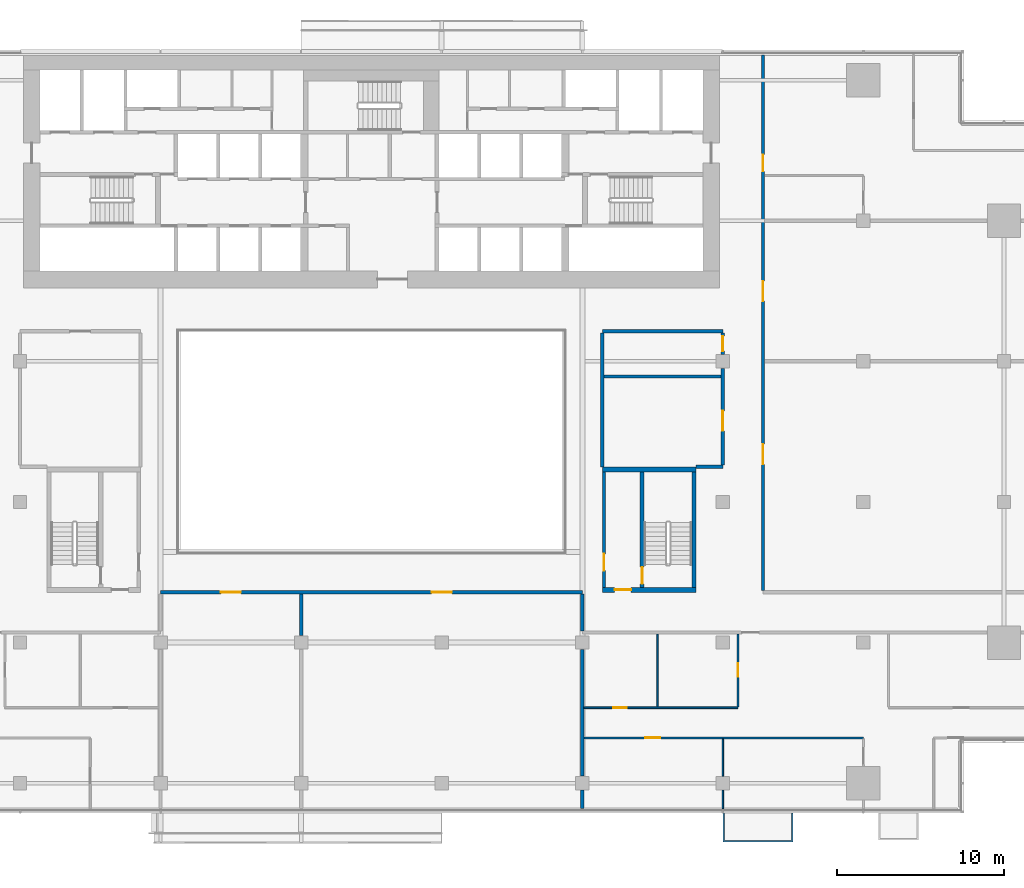
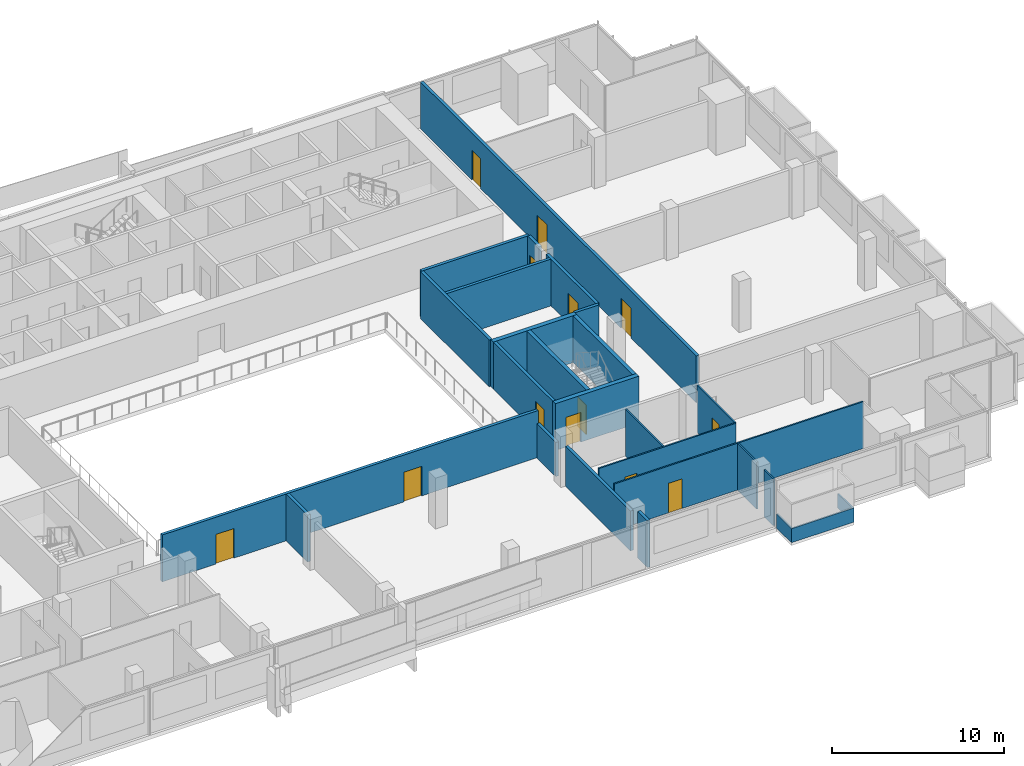
# One storey, part 19 of 26: 24 walls, 13 doors, 13 openings.
"""IFC4 building model written with IfcOpenShell, lengths in metres."""

import ifcopenshell
import ifcopenshell.guid

model = None  # the IFC model being written
_history = None  # IfcOwnerHistory: only IFC2X3 demands one
_inside = {}  # id of a spatial element -> (the spatial element, [elements in it])
_under = {}  # id of a project, library or spatial element -> (it, [spatial elements below it])
_declared = {}  # id of a project -> (the project, [libraries it declares])
_typed = {}  # id of a type object -> (the type object, [elements of that type])
_made_of = {}  # id of a material, layer set ... -> (it, [elements and type objects made of it])


def new_model(schema):
    """Start an empty IFC model of exactly this schema.

    Asked for "IFC4X3", IfcOpenShell would pick the latest addendum, in which some entities
    have other attributes; the version numbers below select the first issue.
    IFC2X3 requires an IfcOwnerHistory on every rooted entity: one is made here for all.
    """
    global model, _history
    if schema == "IFC4X3":
        model = ifcopenshell.file(schema_version=(4, 3, 0, 0))
    else:
        model = ifcopenshell.file(schema=schema)
    _inside.clear()
    _under.clear()
    _declared.clear()
    _typed.clear()
    _made_of.clear()
    _history = None
    if model.schema == "IFC2X3":
        org = make("IfcOrganization", Name="unknown")
        user = make(
            "IfcPersonAndOrganization",
            ThePerson=make("IfcPerson", FamilyName="unknown"),
            TheOrganization=org,
        )
        app = make(
            "IfcApplication",
            ApplicationDeveloper=org,
            Version="unknown",
            ApplicationFullName="unknown",
            ApplicationIdentifier="unknown",
        )
        _history = make(
            "IfcOwnerHistory",
            OwningUser=user,
            OwningApplication=app,
            ChangeAction="ADDED",
            CreationDate=0,
        )
    return model


def make(cls, **values):
    """One entity of the class cls with the attributes given. An attribute that is None is left unset."""
    return model.create_entity(
        cls, **{name: value for name, value in values.items() if value is not None}
    )


def rooted(cls, **values):
    """An entity with a GlobalId (a new one), such as an element, a storey or a relation."""
    return make(cls, GlobalId=ifcopenshell.guid.new(), OwnerHistory=_history, **values)


def si_unit(unit_type, name, prefix=None):
    """IfcSIUnit, for example si_unit("LENGTHUNIT", "METRE", prefix="MILLI")."""
    return make("IfcSIUnit", UnitType=unit_type, Prefix=prefix, Name=name)


def assignment(units):
    """IfcUnitAssignment: the units of a project."""
    return None if units is None else make("IfcUnitAssignment", Units=units)


def point(xyz):
    """IfcCartesianPoint."""
    return None if xyz is None else make("IfcCartesianPoint", Coordinates=xyz)


def direction(xyz):
    """IfcDirection."""
    return None if xyz is None else make("IfcDirection", DirectionRatios=xyz)


def frame(location, z_axis=None, x_axis=None):
    """IfcAxis2Placement3D, a coordinate frame: its origin and axes. An axis left out is left unset."""
    return make(
        "IfcAxis2Placement3D",
        Location=point(location),
        Axis=direction(z_axis),
        RefDirection=direction(x_axis),
    )


def frame_2d(location, x_axis=None):
    """IfcAxis2Placement2D, a coordinate frame in the plane: its origin and x axis."""
    return make(
        "IfcAxis2Placement2D", Location=point(location), RefDirection=direction(x_axis)
    )


def origin():
    """The frame at (0, 0, 0) with its axes left unset."""
    return frame((0.0, 0.0, 0.0))


def place(relative_to, where):
    """IfcLocalPlacement: puts the frame where relative to a parent placement (None: the world)."""
    return make(
        "IfcLocalPlacement", PlacementRelTo=relative_to, RelativePlacement=where
    )


def context(
    kind, dimensions, precision=None, world=None, true_north=None, identifier=None
):
    """IfcGeometricRepresentationContext, for example the 3D "Model" context."""
    return make(
        "IfcGeometricRepresentationContext",
        ContextIdentifier=identifier,
        ContextType=kind,
        CoordinateSpaceDimension=dimensions,
        Precision=precision,
        WorldCoordinateSystem=world,
        TrueNorth=true_north,
    )


def subcontext(parent, identifier, kind, view, scale=None):
    """IfcGeometricRepresentationSubContext, for example "Body" below "Model"."""
    return make(
        "IfcGeometricRepresentationSubContext",
        ContextIdentifier=identifier,
        ContextType=kind,
        ParentContext=parent,
        TargetScale=scale,
        TargetView=view,
    )


def project(units=None, contexts=None):
    """IfcProject with its units and contexts."""
    return rooted(
        "IfcProject",
        Name="project",
        RepresentationContexts=contexts,
        UnitsInContext=assignment(units),
    )


def spatial(cls, under=None, at=None, **own):
    """A site, building, storey or space (cls), placed at a placement, below another one or the project."""
    s = rooted(cls, ObjectPlacement=at, **own)
    if under is not None:
        _under.setdefault(under.id(), (under, []))[1].append(s)
    return s


def polyline(points):
    """IfcPolyline through the points."""
    return make("IfcPolyline", Points=[point(p) for p in points])


def profile(cls, at=None, kind="AREA", **sizes):
    """A parametric profile (cls). Its sizes go by their IFC names, for example OverallWidth=200.0."""
    return make(cls, ProfileType=kind, Position=at, **sizes)


def rectangle(**sizes):
    """IfcRectangleProfileDef."""
    return profile("IfcRectangleProfileDef", **sizes)


def outline(outer, holes=None, kind="AREA"):
    """IfcArbitraryClosedProfileDef: a profile drawn as a closed curve; with holes, ...WithVoids."""
    if holes is None:
        return make("IfcArbitraryClosedProfileDef", ProfileType=kind, OuterCurve=outer)
    return make(
        "IfcArbitraryProfileDefWithVoids",
        ProfileType=kind,
        OuterCurve=outer,
        InnerCurves=holes,
    )


def extrude(swept, where, along, depth):
    """IfcExtrudedAreaSolid: the profile swept, set in the frame where, extruded along a direction by depth."""
    return make(
        "IfcExtrudedAreaSolid",
        SweptArea=swept,
        Position=where,
        ExtrudedDirection=direction(along),
        Depth=depth,
    )


def shape(context_of_items, identifier, shape_type, items):
    """IfcShapeRepresentation: the items that make up one representation, for example the "Body"."""
    return make(
        "IfcShapeRepresentation",
        ContextOfItems=context_of_items,
        RepresentationIdentifier=identifier,
        RepresentationType=shape_type,
        Items=items,
    )


def material(Name=None, Category=None):
    """IfcMaterial."""
    return make("IfcMaterial", Name=Name, Category=Category)


def layer(
    of_material, thickness, ventilated=None, Name=None, Category=None, Priority=None
):
    """IfcMaterialLayer: one layer of a wall or slab, of a material (None: an air gap)."""
    return make(
        "IfcMaterialLayer",
        Material=of_material,
        LayerThickness=thickness,
        IsVentilated=ventilated,
        Name=Name,
        Category=Category,
        Priority=Priority,
    )


def layer_set(layers, Name=None):
    """IfcMaterialLayerSet."""
    return make("IfcMaterialLayerSet", MaterialLayers=layers, LayerSetName=Name)


def made_of(thing, what):
    """Note that an element or type object is made of a material, layer set ...; save() writes the relation."""
    if what is not None:
        _made_of.setdefault(what.id(), (what, []))[1].append(thing)
    return thing


def type_object(cls, material=None, **own):
    """A type object (cls), such as IfcWallType, which elements share."""
    return made_of(rooted(cls, **own), material)


def element(
    cls,
    number,
    at=None,
    inside=None,
    cuts=None,
    type_object=None,
    material=None,
    context=None,
    identifier="Body",
    shape_type=None,
    held_by="IfcProductDefinitionShape",
    body=None,
    shapes=None,
    **own,
):
    """One element of the class cls, such as IfcWall. Its Tag is "e" and its number.

    at: its placement. inside: the storey or other place that contains it. cuts: it is an
    opening in that element (IfcRelVoidsElement). A single representation is given by context,
    identifier, shape_type and body (its items); several are given by shapes. held_by: the class
    of the entity that holds the representations. save() writes the other relations.
    """
    e = rooted(cls, Tag="e%d" % number, ObjectPlacement=at, **own)
    if body is not None:
        shapes = [shape(context, identifier, shape_type, body)]
    if shapes is not None:
        e.Representation = make(held_by, Representations=shapes)
    if inside is not None:
        _inside.setdefault(inside.id(), (inside, []))[1].append(e)
    if cuts is not None:
        rooted(
            "IfcRelVoidsElement", RelatingBuildingElement=cuts, RelatedOpeningElement=e
        )
    if type_object is not None:
        _typed.setdefault(type_object.id(), (type_object, []))[1].append(e)
    return made_of(e, material)


def fill(opening, filler):
    """IfcRelFillsElement: the door or window that sits in an opening."""
    return rooted(
        "IfcRelFillsElement",
        RelatingOpeningElement=opening,
        RelatedBuildingElement=filler,
    )


def aggregate(whole, parts):
    """IfcRelAggregates: a whole, such as a stair, and the parts it consists of."""
    return rooted("IfcRelAggregates", RelatingObject=whole, RelatedObjects=parts)


def save(model, path):
    """Write the relations noted so far, then the file.

    IfcRelAggregates (storeys below a building ...), IfcRelContainedInSpatialStructure (elements
    in a storey), IfcRelDefinesByType, IfcRelAssociatesMaterial and IfcRelDeclares: one each for
    every whole, place, type object, material and project.
    """
    for whole, parts in _under.values():
        aggregate(whole, parts)
    for where, things in _inside.values():
        rooted(
            "IfcRelContainedInSpatialStructure",
            RelatedElements=things,
            RelatingStructure=where,
        )
    for kind, things in _typed.values():
        rooted("IfcRelDefinesByType", RelatedObjects=things, RelatingType=kind)
    for what, things in _made_of.values():
        rooted("IfcRelAssociatesMaterial", RelatedObjects=things, RelatingMaterial=what)
    for by, libraries in _declared.values():
        rooted("IfcRelDeclares", RelatingContext=by, RelatedDefinitions=libraries)
    model.write(path)


model = new_model("IFC4")

# Units and contexts
model_context = context("Model", 3, precision=1e-05, world=origin(), true_north=direction((0.0, 1.0)))
body_context = subcontext(model_context, "Body", "Model", "MODEL_VIEW")
ifc_project = project(units=[si_unit("LENGTHUNIT", "METRE"), si_unit("AREAUNIT", "SQUARE_METRE"), si_unit("VOLUMEUNIT", "CUBIC_METRE"), si_unit("PLANEANGLEUNIT", "RADIAN"), si_unit("MASSUNIT", "GRAM", prefix="KILO")], contexts=[model_context])

# Site, building, storey
site_placement = place(None, origin())
site = spatial("IfcSite", under=ifc_project, at=site_placement, CompositionType="ELEMENT")
building_placement = place(site_placement, origin())
building = spatial("IfcBuilding", under=site, at=building_placement, Name="Saffron Gate Tower", CompositionType="ELEMENT")
storey_placement = place(building_placement, frame((0.0, 0.0, 98.85009765625)))
storey = spatial("IfcBuildingStorey", under=building, at=storey_placement, Name="L22", CompositionType="ELEMENT", Elevation=98.85009765625)

# Wall, opening, door
ifc_material_1 = material(Name="Gypsum board partition on steel studs", Category="steel")
ifc_layer_1 = layer(ifc_material_1, 0.199951171875)
ifc_layer_set_1 = layer_set([ifc_layer_1], Name="CW10 Core partition 200")
wall_type_1 = type_object("IfcWallType", Name="CW10 Core partition 200", PredefinedType="PARTITIONING", material=ifc_layer_set_1)
wall_1_placement = place(storey_placement, frame((101.5, 43.5, 0.0), z_axis=(0.0, 0.0, 1.0), x_axis=(0.0, 1.0, 0.0)))
wall_1 = element("IfcWall", 1, at=wall_1_placement, inside=storey, type_object=wall_type_1, Name="Wall CW10-L22-E-2", PredefinedType="PARTITIONING", context=body_context, shape_type="SweptSolid", body=[
    extrude(rectangle(XDim=6.89990234375, YDim=0.199951171875, at=frame_2d((3.449951171875, 0.0))), origin(), (0.0, 0.0, 1.0), 3.31982421875),
])
opening_1_placement = place(wall_1_placement, frame((1.0, 0.0, 0.0)))
opening_1 = element("IfcOpeningElement", 2, at=opening_1_placement, cuts=wall_1, Name="Opening CR-22", PredefinedType="OPENING", context=body_context, shape_type="SweptSolid", body=[
    extrude(rectangle(XDim=1.0, YDim=2.10009765625, at=frame_2d((0.5, 1.050048828125))), frame((0.0, 0.10986328125, 0.0), z_axis=(0.0, -1.0, 0.0), x_axis=(1.0, 0.0, 0.0)), (0.0, 0.0, 1.0), 0.219970703125),
])
ifc_material_2 = material(Name="Steel fire door set", Category="steel")
door_type_1 = type_object("IfcDoorType", Name="CD4 Lobby door 1000x2100 EI 120", OperationType="NOTDEFINED", PredefinedType="DOOR", material=ifc_material_2)
door_1_placement = place(opening_1_placement, origin())
door_1 = element("IfcDoor", 3, at=door_1_placement, inside=storey, type_object=door_type_1, Name="DOOR CR-22", OperationType="SINGLE_SWING_LEFT", OverallHeight=2.10009765625, OverallWidth=1.0, PredefinedType="DOOR", context=body_context, shape_type="SweptSolid", body=[
    extrude(rectangle(XDim=1.0, YDim=2.10009765625, at=frame_2d((0.5, 1.050048828125))), frame((0.0, 0.02490234375, 0.0), z_axis=(0.0, -1.0, 0.0), x_axis=(1.0, 0.0, 0.0)), (0.0, 0.0, 1.0), 0.050048828125),
])
fill(opening_1, door_1)

ifc_material_3 = material(Name="Concrete C70", Category="concrete")
ifc_layer_2 = layer(ifc_material_3, 0.25)
ifc_layer_set_2 = layer_set([ifc_layer_2], Name="CW2 RC core wall 250 C70")
wall_type_2 = type_object("IfcWallType", Name="CW2 RC core wall 250 C70", PredefinedType="SOLIDWALL", material=ifc_layer_set_2)
wall_2_placement = place(storey_placement, frame((103.77490234375, 43.5, 0.0), z_axis=(0.0, 0.0, 1.0), x_axis=(0.0, 1.0, 0.0)))
wall_2 = element("IfcWall", 4, at=wall_2_placement, inside=storey, type_object=wall_type_2, Name="Wall CW2-L22-E-3", PredefinedType="SOLIDWALL", context=body_context, shape_type="SweptSolid", body=[
    extrude(rectangle(XDim=6.89990234375, YDim=0.25, at=frame_2d((3.449951171875, 0.0))), origin(), (0.0, 0.0, 1.0), 3.31982421875),
])
opening_2_placement = place(wall_2_placement, frame((0.199951171875, 0.0, 0.0)))
opening_2 = element("IfcOpeningElement", 5, at=opening_2_placement, cuts=wall_2, Name="Opening CR-23", PredefinedType="OPENING", context=body_context, shape_type="SweptSolid", body=[
    extrude(rectangle(XDim=1.0, YDim=2.10009765625, at=frame_2d((0.5, 1.050048828125))), frame((0.0, 0.135009765625, 0.0), z_axis=(0.0, -1.0, 0.0), x_axis=(1.0, 0.0, 0.0)), (0.0, 0.0, 1.0), 0.27001953125),
])
door_type_2 = type_object("IfcDoorType", Name="CD5 Stair door 1000x2100 EI 120", OperationType="NOTDEFINED", PredefinedType="DOOR", material=ifc_material_2)
door_2_placement = place(opening_2_placement, origin())
door_2 = element("IfcDoor", 6, at=door_2_placement, inside=storey, type_object=door_type_2, Name="DOOR CR-23", OperationType="SINGLE_SWING_RIGHT", OverallHeight=2.10009765625, OverallWidth=1.0, PredefinedType="DOOR", context=body_context, shape_type="SweptSolid", body=[
    extrude(rectangle(XDim=1.0, YDim=2.10009765625, at=frame_2d((0.5, 1.050048828125))), frame((0.0, 0.02490234375, 0.0), z_axis=(0.0, -1.0, 0.0), x_axis=(1.0, 0.0, 0.0)), (0.0, 0.0, 1.0), 0.050048828125),
])
fill(opening_2, door_2)

# Wall
wall_3_placement = place(storey_placement, frame((106.875, 43.5, 0.0), z_axis=(0.0, 0.0, 1.0), x_axis=(0.0, 1.0, 0.0)))
element("IfcWall", 7, at=wall_3_placement, inside=storey, type_object=wall_type_2, Name="Wall CW2-L22-E-4", PredefinedType="SOLIDWALL", context=body_context, shape_type="SweptSolid", body=[
    extrude(rectangle(XDim=6.89990234375, YDim=0.25, at=frame_2d((3.449951171875, 0.0))), origin(), (0.0, 0.0, 1.0), 3.31982421875),
])

# Wall, opening, door
ifc_layer_3 = layer(ifc_material_3, 0.300048828125)
ifc_layer_set_3 = layer_set([ifc_layer_3], Name="CW5 RC core wall 300 C70")
wall_type_3 = type_object("IfcWallType", Name="CW5 RC core wall 300 C70", PredefinedType="SOLIDWALL", material=ifc_layer_set_3)
wall_4_placement = place(storey_placement, frame((101.39990234375, 43.35009765625, 0.0), z_axis=(0.0, 0.0, 1.0), x_axis=(1.0, 0.0, 0.0)))
wall_4 = element("IfcWall", 8, at=wall_4_placement, inside=storey, type_object=wall_type_3, Name="Wall CW5-L22-E-1", PredefinedType="SOLIDWALL", context=body_context, shape_type="SweptSolid", body=[
    extrude(rectangle(XDim=5.60009765625, YDim=0.300048828125, at=frame_2d((2.800048828125, 0.0))), origin(), (0.0, 0.0, 1.0), 3.31982421875),
])
opening_3_placement = place(wall_4_placement, frame((0.72509765625, 0.0, 0.0)))
opening_3 = element("IfcOpeningElement", 9, at=opening_3_placement, cuts=wall_4, Name="Opening CR-21", PredefinedType="OPENING", context=body_context, shape_type="SweptSolid", body=[
    extrude(rectangle(XDim=1.0, YDim=2.10009765625, at=frame_2d((0.5, 1.050048828125))), frame((0.0, 0.16015625, 0.0), z_axis=(0.0, -1.0, 0.0), x_axis=(1.0, 0.0, 0.0)), (0.0, 0.0, 1.0), 0.320068359375),
])
door_3_placement = place(opening_3_placement, origin())
door_3 = element("IfcDoor", 10, at=door_3_placement, inside=storey, type_object=door_type_1, Name="DOOR CR-21", OperationType="SINGLE_SWING_RIGHT", OverallHeight=2.10009765625, OverallWidth=1.0, PredefinedType="DOOR", context=body_context, shape_type="SweptSolid", body=[
    extrude(rectangle(XDim=1.0, YDim=2.10009765625, at=frame_2d((0.5, 1.050048828125))), frame((0.0, 0.02490234375, 0.0), z_axis=(0.0, -1.0, 0.0), x_axis=(1.0, 0.0, 0.0)), (0.0, 0.0, 1.0), 0.050048828125),
])
fill(opening_3, door_3)

# Wall
wall_5_placement = place(storey_placement, frame((101.39990234375, 50.550048828125, 0.0), z_axis=(0.0, 0.0, 1.0), x_axis=(1.0, 0.0, 0.0)))
element("IfcWall", 11, at=wall_5_placement, inside=storey, type_object=wall_type_3, Name="Wall CW5-L22-E-5", PredefinedType="SOLIDWALL", context=body_context, shape_type="SweptSolid", body=[
    extrude(rectangle(XDim=5.60009765625, YDim=0.300048828125, at=frame_2d((2.800048828125, 0.0))), origin(), (0.0, 0.0, 1.0), 3.31982421875),
])

# Wall, opening, door
ifc_material_4 = material(Name="Plasterboard on steel studs", Category="steel")
ifc_layer_4 = layer(ifc_material_4, 0.10009765625)
ifc_layer_set_4 = layer_set([ifc_layer_4], Name="PW1 Partition 100")
wall_type_4 = type_object("IfcWallType", Name="PW1 Partition 100", PredefinedType="PARTITIONING", material=ifc_layer_set_4)
wall_6_placement = place(storey_placement, frame((117.0, 34.5, 0.0), z_axis=(0.0, 0.0, 1.0), x_axis=(-1.0, 0.0, 0.0)))
wall_6 = element("IfcWall", 12, at=wall_6_placement, inside=storey, type_object=wall_type_4, Name="Partition B1-2", PredefinedType="PARTITIONING", context=body_context, shape_type="SweptSolid", body=[
    extrude(rectangle(XDim=16.699951171875, YDim=0.10009765625, at=frame_2d((8.35009765625, 0.0))), origin(), (0.0, 0.0, 1.0), 3.31982421875),
])
opening_4_placement = place(wall_6_placement, frame((12.14990234375, 0.0, 0.0)))
opening_4 = element("IfcOpeningElement", 13, at=opening_4_placement, cuts=wall_6, Name="Opening B1-9", PredefinedType="OPENING", context=body_context, shape_type="SweptSolid", body=[
    extrude(rectangle(XDim=0.89990234375, YDim=2.10009765625, at=frame_2d((0.449951171875, 1.050048828125))), frame((0.0, 0.06005859375, 0.0), z_axis=(0.0, -1.0, 0.0), x_axis=(1.0, 0.0, 0.0)), (0.0, 0.0, 1.0), 0.1201171875),
])
ifc_material_5 = material(Name="Timber door set", Category="wood")
door_type_3 = type_object("IfcDoorType", Name="RD1 Room door 900x2100", OperationType="NOTDEFINED", PredefinedType="DOOR", material=ifc_material_5)
door_4_placement = place(opening_4_placement, origin())
door_4 = element("IfcDoor", 14, at=door_4_placement, inside=storey, type_object=door_type_3, Name="Door B1-9", OperationType="SINGLE_SWING_RIGHT", OverallHeight=2.10009765625, OverallWidth=0.89990234375, PredefinedType="DOOR", context=body_context, shape_type="SweptSolid", body=[
    extrude(rectangle(XDim=0.89990234375, YDim=2.10009765625, at=frame_2d((0.449951171875, 1.050048828125))), frame((0.0, 0.02490234375, 0.0), z_axis=(0.0, -1.0, 0.0), x_axis=(1.0, 0.0, 0.0)), (0.0, 0.0, 1.0), 0.050048828125),
])
fill(opening_4, door_4)

wall_7_placement = place(storey_placement, frame((100.300048828125, 36.300048828125, 0.0), z_axis=(0.0, 0.0, 1.0), x_axis=(1.0, 0.0, 0.0)))
wall_7 = element("IfcWall", 15, at=wall_7_placement, inside=storey, type_object=wall_type_4, Name="Partition B1-6", PredefinedType="PARTITIONING", context=body_context, shape_type="SweptSolid", body=[
    extrude(rectangle(XDim=9.199951171875, YDim=0.10009765625, at=frame_2d((4.60009765625, 0.0))), origin(), (0.0, 0.0, 1.0), 3.31982421875),
])
opening_5_placement = place(wall_7_placement, frame((1.75, 0.0, 0.0)))
opening_5 = element("IfcOpeningElement", 16, at=opening_5_placement, cuts=wall_7, Name="Opening B1-18", PredefinedType="OPENING", context=body_context, shape_type="SweptSolid", body=[
    extrude(rectangle(XDim=0.800048828125, YDim=2.10009765625, at=frame_2d((0.39990234375, 1.050048828125))), frame((0.0, 0.06005859375, 0.0), z_axis=(0.0, -1.0, 0.0), x_axis=(1.0, 0.0, 0.0)), (0.0, 0.0, 1.0), 0.1201171875),
])
door_type_4 = type_object("IfcDoorType", Name="RD2 Bathroom door 800x2100", OperationType="NOTDEFINED", PredefinedType="DOOR", material=ifc_material_5)
door_5_placement = place(opening_5_placement, origin())
door_5 = element("IfcDoor", 17, at=door_5_placement, inside=storey, type_object=door_type_4, Name="Door B1-18", OperationType="SINGLE_SWING_LEFT", OverallHeight=2.10009765625, OverallWidth=0.800048828125, PredefinedType="DOOR", context=body_context, shape_type="SweptSolid", body=[
    extrude(rectangle(XDim=0.800048828125, YDim=2.10009765625, at=frame_2d((0.39990234375, 1.050048828125))), frame((0.0, 0.02490234375, 0.0), z_axis=(0.0, -1.0, 0.0), x_axis=(1.0, 0.0, 0.0)), (0.0, 0.0, 1.0), 0.050048828125),
])
fill(opening_5, door_5)

# Walls
wall_8_placement = place(storey_placement, frame((104.699951171875, 40.699951171875, 0.0), z_axis=(0.0, 0.0, 1.0), x_axis=(0.0, -1.0, 0.0)))
element("IfcWall", 18, at=wall_8_placement, inside=storey, type_object=wall_type_4, Name="Partition B1-60", PredefinedType="PARTITIONING", context=body_context, shape_type="SweptSolid", body=[
    extrude(rectangle(XDim=4.349853515625, YDim=0.10009765625, at=frame_2d((2.1748046875, 0.0))), origin(), (0.0, 0.0, 1.0), 3.31982421875),
])
wall_9_placement = place(storey_placement, frame((108.60009765625, 31.3798828125, 0.0), z_axis=(0.0, 0.0, 1.0), x_axis=(0.0, -1.0, 0.0)))
element("IfcWall", 19, at=wall_9_placement, inside=storey, type_object=wall_type_4, Name="Partition B1-63", PredefinedType="PARTITIONING", context=body_context, shape_type="SweptSolid", body=[
    extrude(rectangle(XDim=1.099853515625, YDim=0.10009765625, at=frame_2d((0.5498046875, 0.0))), origin(), (0.0, 0.0, 1.0), 3.31982421875),
])
wall_10_placement = place(storey_placement, frame((108.60009765625, 34.449951171875, 0.0), z_axis=(0.0, 0.0, 1.0), x_axis=(0.0, -1.0, 0.0)))
element("IfcWall", 20, at=wall_10_placement, inside=storey, type_object=wall_type_4, Name="Partition B1-64", PredefinedType="PARTITIONING", context=body_context, shape_type="SweptSolid", body=[
    extrude(rectangle(XDim=2.22998046875, YDim=0.10009765625, at=frame_2d((1.114990234375, 0.0))), origin(), (0.0, 0.0, 1.0), 3.31982421875),
])

# Wall, opening, door
wall_11_placement = place(storey_placement, frame((109.5, 36.35009765625, 0.0), z_axis=(0.0, 0.0, 1.0), x_axis=(0.0, 1.0, 0.0)))
wall_11 = element("IfcWall", 21, at=wall_11_placement, inside=storey, type_object=wall_type_4, Name="Partition B1-65", PredefinedType="PARTITIONING", context=body_context, shape_type="SweptSolid", body=[
    extrude(rectangle(XDim=4.349853515625, YDim=0.10009765625, at=frame_2d((2.1748046875, 0.0))), origin(), (0.0, 0.0, 1.0), 3.31982421875),
])
opening_6_placement = place(wall_11_placement, frame((1.800048828125, 0.0, 0.0)))
opening_6 = element("IfcOpeningElement", 22, at=opening_6_placement, cuts=wall_11, Name="Opening B1-19", PredefinedType="OPENING", context=body_context, shape_type="SweptSolid", body=[
    extrude(rectangle(XDim=0.800048828125, YDim=2.10009765625, at=frame_2d((0.39990234375, 1.050048828125))), frame((0.0, 0.06005859375, 0.0), z_axis=(0.0, -1.0, 0.0), x_axis=(1.0, 0.0, 0.0)), (0.0, 0.0, 1.0), 0.1201171875),
])
door_6_placement = place(opening_6_placement, origin())
door_6 = element("IfcDoor", 23, at=door_6_placement, inside=storey, type_object=door_type_4, Name="Door B1-19", OperationType="SINGLE_SWING_RIGHT", OverallHeight=2.10009765625, OverallWidth=0.800048828125, PredefinedType="DOOR", context=body_context, shape_type="SweptSolid", body=[
    extrude(rectangle(XDim=0.800048828125, YDim=2.10009765625, at=frame_2d((0.39990234375, 1.050048828125))), frame((0.0, 0.02490234375, 0.0), z_axis=(0.0, -1.0, 0.0), x_axis=(1.0, 0.0, 0.0)), (0.0, 0.0, 1.0), 0.050048828125),
])
fill(opening_6, door_6)

# Wall, openings, doors
ifc_material_6 = material(Name="Clay brick masonry, rendered", Category="masonry")
ifc_layer_5 = layer(ifc_material_6, 0.199951171875)
ifc_layer_set_5 = layer_set([ifc_layer_5], Name="PW3 Corridor wall 200")
wall_type_5 = type_object("IfcWallType", Name="PW3 Corridor wall 200", PredefinedType="PARTITIONING", material=ifc_layer_set_5)
wall_12_placement = place(storey_placement, frame((100.199951171875, 43.199951171875, 0.0), z_axis=(0.0, 0.0, 1.0), x_axis=(-1.0, 0.0, 0.0)))
wall_12 = element("IfcWall", 24, at=wall_12_placement, inside=storey, type_object=wall_type_5, Name="Wall B1-13", PredefinedType="PARTITIONING", context=body_context, shape_type="SweptSolid", body=[
    extrude(rectangle(XDim=25.199951171875, YDim=0.199951171875, at=frame_2d((12.60009765625, 0.0))), origin(), (0.0, 0.0, 1.0), 3.31982421875),
])
opening_7_placement = place(wall_12_placement, frame((7.800048828125, 0.0, 0.0)))
opening_7 = element("IfcOpeningElement", 25, at=opening_7_placement, cuts=wall_12, Name="Opening B1-26", PredefinedType="OPENING", context=body_context, shape_type="SweptSolid", body=[
    extrude(rectangle(XDim=1.199951171875, YDim=2.10009765625, at=frame_2d((0.60009765625, 1.050048828125))), frame((0.0, 0.10986328125, 0.0), z_axis=(0.0, -1.0, 0.0), x_axis=(1.0, 0.0, 0.0)), (0.0, 0.0, 1.0), 0.219970703125),
])
opening_8_placement = place(wall_12_placement, frame((20.39990234375, 0.0, 0.0)))
opening_8 = element("IfcOpeningElement", 26, at=opening_8_placement, cuts=wall_12, Name="Opening B1-25", PredefinedType="OPENING", context=body_context, shape_type="SweptSolid", body=[
    extrude(rectangle(XDim=1.199951171875, YDim=2.10009765625, at=frame_2d((0.60009765625, 1.050048828125))), frame((0.0, 0.10986328125, 0.0), z_axis=(0.0, -1.0, 0.0), x_axis=(1.0, 0.0, 0.0)), (0.0, 0.0, 1.0), 0.219970703125),
])
door_type_5 = type_object("IfcDoorType", Name="HD1 Hall door 1200x2100", OperationType="NOTDEFINED", PredefinedType="DOOR", material=ifc_material_5)
door_7_placement = place(opening_7_placement, origin())
door_7 = element("IfcDoor", 27, at=door_7_placement, inside=storey, type_object=door_type_5, Name="Door B1-26", OperationType="SINGLE_SWING_LEFT", OverallHeight=2.10009765625, OverallWidth=1.199951171875, PredefinedType="DOOR", context=body_context, shape_type="SweptSolid", body=[
    extrude(rectangle(XDim=1.199951171875, YDim=2.10009765625, at=frame_2d((0.60009765625, 1.050048828125))), frame((0.0, 0.02490234375, 0.0), z_axis=(0.0, -1.0, 0.0), x_axis=(1.0, 0.0, 0.0)), (0.0, 0.0, 1.0), 0.050048828125),
])
fill(opening_7, door_7)
door_8_placement = place(opening_8_placement, origin())
door_8 = element("IfcDoor", 28, at=door_8_placement, inside=storey, type_object=door_type_5, Name="Door B1-25", OperationType="SINGLE_SWING_LEFT", OverallHeight=2.10009765625, OverallWidth=1.199951171875, PredefinedType="DOOR", context=body_context, shape_type="SweptSolid", body=[
    extrude(rectangle(XDim=1.199951171875, YDim=2.10009765625, at=frame_2d((0.60009765625, 1.050048828125))), frame((0.0, 0.02490234375, 0.0), z_axis=(0.0, -1.0, 0.0), x_axis=(1.0, 0.0, 0.0)), (0.0, 0.0, 1.0), 0.050048828125),
])
fill(opening_8, door_8)

# Walls
wall_13_placement = place(storey_placement, frame((107.0, 50.699951171875, 0.0), z_axis=(0.0, 0.0, 1.0), x_axis=(1.0, 0.0, 0.0)))
element("IfcWall", 29, at=wall_13_placement, inside=storey, type_object=wall_type_5, Name="Wall B1-16", PredefinedType="PARTITIONING", context=body_context, shape_type="SweptSolid", body=[
    extrude(rectangle(XDim=1.60009765625, YDim=0.199951171875, at=frame_2d((0.800048828125, 0.0))), origin(), (0.0, 0.0, 1.0), 3.31982421875),
])
wall_14_placement = place(storey_placement, frame((101.39990234375, 58.800048828125, 0.0), z_axis=(0.0, 0.0, 1.0), x_axis=(1.0, 0.0, 0.0)))
element("IfcWall", 30, at=wall_14_placement, inside=storey, type_object=wall_type_5, Name="Wall B1-25", PredefinedType="PARTITIONING", context=body_context, shape_type="SweptSolid", body=[
    extrude(rectangle(XDim=7.2001953125, YDim=0.199951171875, at=frame_2d((3.60009765625, 0.0))), origin(), (0.0, 0.0, 1.0), 3.31982421875),
])
wall_15_placement = place(storey_placement, frame((100.199951171875, 43.10009765625, 0.0), z_axis=(0.0, 0.0, 1.0), x_axis=(0.0, -1.0, 0.0)))
element("IfcWall", 31, at=wall_15_placement, inside=storey, type_object=wall_type_5, Name="Wall B1-56", PredefinedType="PARTITIONING", context=body_context, shape_type="SweptSolid", body=[
    extrude(rectangle(XDim=2.2001953125, YDim=0.199951171875, at=frame_2d((1.10009765625, 0.0))), origin(), (0.0, 0.0, 1.0), 2.429931640625),
])
wall_16_placement = place(storey_placement, frame((101.39990234375, 58.699951171875, 0.0), z_axis=(0.0, 0.0, 1.0), x_axis=(0.0, -1.0, 0.0)))
element("IfcWall", 32, at=wall_16_placement, inside=storey, type_object=wall_type_5, Name="Wall B1-59", PredefinedType="PARTITIONING", context=body_context, shape_type="SweptSolid", body=[
    extrude(rectangle(XDim=8.0, YDim=0.199951171875, at=frame_2d((4.0, 0.0))), origin(), (0.0, 0.0, 1.0), 3.31982421875),
])

# Wall, opening, door
wall_17_placement = place(storey_placement, frame((108.60009765625, 50.800048828125, 0.0), z_axis=(0.0, 0.0, 1.0), x_axis=(0.0, 1.0, 0.0)))
wall_17 = element("IfcWall", 33, at=wall_17_placement, inside=storey, type_object=wall_type_5, Name="Wall B1-61", PredefinedType="PARTITIONING", context=body_context, shape_type="SweptSolid", body=[
    extrude(rectangle(XDim=5.780029296875, YDim=0.199951171875, at=frame_2d((2.89013671875, 0.0))), origin(), (0.0, 0.0, 1.0), 3.31982421875),
])
opening_9_placement = place(wall_17_placement, frame((2.050048828125, 0.0, 0.0)))
opening_9 = element("IfcOpeningElement", 34, at=opening_9_placement, cuts=wall_17, Name="Opening B1-24", PredefinedType="OPENING", context=body_context, shape_type="SweptSolid", body=[
    extrude(rectangle(XDim=1.199951171875, YDim=2.10009765625, at=frame_2d((0.60009765625, 1.050048828125))), frame((0.0, 0.10986328125, 0.0), z_axis=(0.0, -1.0, 0.0), x_axis=(1.0, 0.0, 0.0)), (0.0, 0.0, 1.0), 0.219970703125),
])
door_9_placement = place(opening_9_placement, origin())
door_9 = element("IfcDoor", 35, at=door_9_placement, inside=storey, type_object=door_type_5, Name="Door B1-24", OperationType="SINGLE_SWING_RIGHT", OverallHeight=2.10009765625, OverallWidth=1.199951171875, PredefinedType="DOOR", context=body_context, shape_type="SweptSolid", body=[
    extrude(rectangle(XDim=1.199951171875, YDim=2.10009765625, at=frame_2d((0.60009765625, 1.050048828125))), frame((0.0, 0.02490234375, 0.0), z_axis=(0.0, -1.0, 0.0), x_axis=(1.0, 0.0, 0.0)), (0.0, 0.0, 1.0), 0.050048828125),
])
fill(opening_9, door_9)

wall_18_placement = place(storey_placement, frame((108.60009765625, 57.419921875, 0.0), z_axis=(0.0, 0.0, 1.0), x_axis=(0.0, 1.0, 0.0)))
wall_18 = element("IfcWall", 36, at=wall_18_placement, inside=storey, type_object=wall_type_5, Name="Wall B1-62", PredefinedType="PARTITIONING", context=body_context, shape_type="SweptSolid", body=[
    extrude(rectangle(XDim=1.280029296875, YDim=0.199951171875, at=frame_2d((0.64013671875, 0.0))), origin(), (0.0, 0.0, 1.0), 3.31982421875),
])
opening_10_placement = place(wall_18_placement, frame((0.18994140625, 0.0, 0.0)))
opening_10 = element("IfcOpeningElement", 37, at=opening_10_placement, cuts=wall_18, Name="Opening B1-15", PredefinedType="OPENING", context=body_context, shape_type="SweptSolid", body=[
    extrude(rectangle(XDim=0.89990234375, YDim=2.10009765625, at=frame_2d((0.449951171875, 1.050048828125))), frame((0.0, 0.10986328125, 0.0), z_axis=(0.0, -1.0, 0.0), x_axis=(1.0, 0.0, 0.0)), (0.0, 0.0, 1.0), 0.219970703125),
])
door_10_placement = place(opening_10_placement, origin())
door_10 = element("IfcDoor", 38, at=door_10_placement, inside=storey, type_object=door_type_3, Name="Door B1-15", OperationType="SINGLE_SWING_RIGHT", OverallHeight=2.10009765625, OverallWidth=0.89990234375, PredefinedType="DOOR", context=body_context, shape_type="SweptSolid", body=[
    extrude(rectangle(XDim=0.89990234375, YDim=2.10009765625, at=frame_2d((0.449951171875, 1.050048828125))), frame((0.0, 0.02490234375, 0.0), z_axis=(0.0, -1.0, 0.0), x_axis=(1.0, 0.0, 0.0)), (0.0, 0.0, 1.0), 0.050048828125),
])
fill(opening_10, door_10)

# Wall, openings, doors
wall_19_placement = place(storey_placement, frame((111.0, 75.320068359375, 0.0), z_axis=(0.0, 0.0, 1.0), x_axis=(0.0, -1.0, 0.0)))
wall_19 = element("IfcWall", 39, at=wall_19_placement, inside=storey, type_object=wall_type_5, Name="Wall B1-66", PredefinedType="PARTITIONING", context=body_context, shape_type="SweptSolid", body=[
    extrude(rectangle(XDim=32.02001953125, YDim=0.199951171875, at=frame_2d((16.010009765625, 0.0))), origin(), (0.0, 0.0, 1.0), 3.31982421875),
])
opening_11_placement = place(wall_19_placement, frame((5.969970703125, 0.0, 0.0)))
opening_11 = element("IfcOpeningElement", 40, at=opening_11_placement, cuts=wall_19, Name="Opening B1-4", PredefinedType="OPENING", context=body_context, shape_type="SweptSolid", body=[
    extrude(rectangle(XDim=1.0, YDim=2.10009765625, at=frame_2d((0.5, 1.050048828125))), frame((0.0, 0.10986328125, 0.0), z_axis=(0.0, -1.0, 0.0), x_axis=(1.0, 0.0, 0.0)), (0.0, 0.0, 1.0), 0.219970703125),
])
opening_12_placement = place(wall_19_placement, frame((13.52001953125, 0.0, 0.0)))
opening_12 = element("IfcOpeningElement", 41, at=opening_12_placement, cuts=wall_19, Name="Opening B1-23", PredefinedType="OPENING", context=body_context, shape_type="SweptSolid", body=[
    extrude(rectangle(XDim=1.199951171875, YDim=2.10009765625, at=frame_2d((0.60009765625, 1.050048828125))), frame((0.0, 0.10986328125, 0.0), z_axis=(0.0, -1.0, 0.0), x_axis=(1.0, 0.0, 0.0)), (0.0, 0.0, 1.0), 0.219970703125),
])
opening_13_placement = place(wall_19_placement, frame((23.27001953125, 0.0, 0.0)))
opening_13 = element("IfcOpeningElement", 42, at=opening_13_placement, cuts=wall_19, Name="Opening B1-22", PredefinedType="OPENING", context=body_context, shape_type="SweptSolid", body=[
    extrude(rectangle(XDim=1.199951171875, YDim=2.10009765625, at=frame_2d((0.60009765625, 1.050048828125))), frame((0.0, 0.10986328125, 0.0), z_axis=(0.0, -1.0, 0.0), x_axis=(1.0, 0.0, 0.0)), (0.0, 0.0, 1.0), 0.219970703125),
])
ifc_material_7 = material(Name="Timber fire door set", Category="wood")
door_type_6 = type_object("IfcDoorType", Name="FD1 Flat entry door 1000x2100", OperationType="NOTDEFINED", PredefinedType="DOOR", material=ifc_material_7)
door_11_placement = place(opening_11_placement, origin())
door_11 = element("IfcDoor", 43, at=door_11_placement, inside=storey, type_object=door_type_6, Name="Door B1-4", OperationType="SINGLE_SWING_RIGHT", OverallHeight=2.10009765625, OverallWidth=1.0, PredefinedType="DOOR", context=body_context, shape_type="SweptSolid", body=[
    extrude(rectangle(XDim=1.0, YDim=2.10009765625, at=frame_2d((0.5, 1.050048828125))), frame((0.0, 0.02490234375, 0.0), z_axis=(0.0, -1.0, 0.0), x_axis=(1.0, 0.0, 0.0)), (0.0, 0.0, 1.0), 0.050048828125),
])
fill(opening_11, door_11)
door_12_placement = place(opening_12_placement, origin())
door_12 = element("IfcDoor", 44, at=door_12_placement, inside=storey, type_object=door_type_5, Name="Door B1-23", OperationType="SINGLE_SWING_LEFT", OverallHeight=2.10009765625, OverallWidth=1.199951171875, PredefinedType="DOOR", context=body_context, shape_type="SweptSolid", body=[
    extrude(rectangle(XDim=1.199951171875, YDim=2.10009765625, at=frame_2d((0.60009765625, 1.050048828125))), frame((0.0, 0.02490234375, 0.0), z_axis=(0.0, -1.0, 0.0), x_axis=(1.0, 0.0, 0.0)), (0.0, 0.0, 1.0), 0.050048828125),
])
fill(opening_12, door_12)
door_13_placement = place(opening_13_placement, origin())
door_13 = element("IfcDoor", 45, at=door_13_placement, inside=storey, type_object=door_type_5, Name="Door B1-22", OperationType="SINGLE_SWING_RIGHT", OverallHeight=2.10009765625, OverallWidth=1.199951171875, PredefinedType="DOOR", context=body_context, shape_type="SweptSolid", body=[
    extrude(rectangle(XDim=1.199951171875, YDim=2.10009765625, at=frame_2d((0.60009765625, 1.050048828125))), frame((0.0, 0.02490234375, 0.0), z_axis=(0.0, -1.0, 0.0), x_axis=(1.0, 0.0, 0.0)), (0.0, 0.0, 1.0), 0.050048828125),
])
fill(opening_13, door_13)

# Walls
ifc_layer_6 = layer(ifc_material_6, 0.199951171875)
ifc_layer_set_6 = layer_set([ifc_layer_6], Name="PW5 Room wall 200")
wall_type_6 = type_object("IfcWallType", Name="PW5 Room wall 200", PredefinedType="PARTITIONING", material=ifc_layer_set_6)
wall_20_placement = place(storey_placement, frame((101.5, 56.10009765625, 0.0), z_axis=(0.0, 0.0, 1.0), x_axis=(1.0, 0.0, 0.0)))
element("IfcWall", 46, at=wall_20_placement, inside=storey, type_object=wall_type_6, Name="Wall B1-17", PredefinedType="PARTITIONING", context=body_context, shape_type="SweptSolid", body=[
    extrude(rectangle(XDim=7.0, YDim=0.199951171875, at=frame_2d((3.5, 0.0))), origin(), (0.0, 0.0, 1.0), 3.31982421875),
])
wall_21_placement = place(storey_placement, frame((83.39990234375, 43.10009765625, 0.0), z_axis=(0.0, 0.0, 1.0), x_axis=(0.0, -1.0, 0.0)))
element("IfcWall", 47, at=wall_21_placement, inside=storey, type_object=wall_type_6, Name="Wall B1-55", PredefinedType="PARTITIONING", context=body_context, shape_type="SweptSolid", body=[
    extrude(rectangle(XDim=2.47998046875, YDim=0.199951171875, at=frame_2d((1.239990234375, 0.0))), origin(), (0.0, 0.0, 1.0), 3.31982421875),
])
wall_22_placement = place(storey_placement, frame((100.199951171875, 31.3798828125, 0.0), z_axis=(0.0, 0.0, 1.0), x_axis=(0.0, -1.0, 0.0)))
element("IfcWall", 48, at=wall_22_placement, inside=storey, type_object=wall_type_6, Name="Wall B1-57", PredefinedType="PARTITIONING", context=body_context, shape_type="SweptSolid", body=[
    extrude(rectangle(XDim=1.099853515625, YDim=0.199951171875, at=frame_2d((0.5498046875, 0.0))), origin(), (0.0, 0.0, 1.0), 3.31982421875),
])
wall_23_placement = place(storey_placement, frame((100.199951171875, 39.780029296875, 0.0), z_axis=(0.0, 0.0, 1.0), x_axis=(0.0, -1.0, 0.0)))
element("IfcWall", 49, at=wall_23_placement, inside=storey, type_object=wall_type_6, Name="Wall B1-58", PredefinedType="PARTITIONING", context=body_context, shape_type="SweptSolid", body=[
    extrude(rectangle(XDim=7.56005859375, YDim=0.199951171875, at=frame_2d((3.780029296875, 0.0))), origin(), (0.0, 0.0, 1.0), 2.829833984375),
])
ifc_material_8 = material(Name="Rendered insulated panel, white")
ifc_layer_7 = layer(ifc_material_8, 0.10009765625)
ifc_layer_set_7 = layer_set([ifc_layer_7], Name="WB3 box parapet white")
wall_type_7 = type_object("IfcWallType", Name="WB3 box parapet white", PredefinedType="SOLIDWALL", material=ifc_layer_set_7)
wall_24_placement = place(storey_placement, origin())
element("IfcWall", 50, at=wall_24_placement, inside=storey, type_object=wall_type_7, Name="WINDOW BOX parapet", PredefinedType="SOLIDWALL", context=body_context, shape_type="SweptSolid", body=[
    extrude(outline(polyline([(108.60009765625, 30.0), (108.699951171875, 30.0), (108.699951171875, 28.366943359375), (112.699951171875, 28.366943359375), (112.699951171875, 30.0), (112.800048828125, 30.0), (112.800048828125, 28.26708984375), (108.60009765625, 28.26708984375), (108.60009765625, 30.0)])), origin(), (0.0, 0.0, 1.0), 1.0),
])

save(model, "model.ifc")
